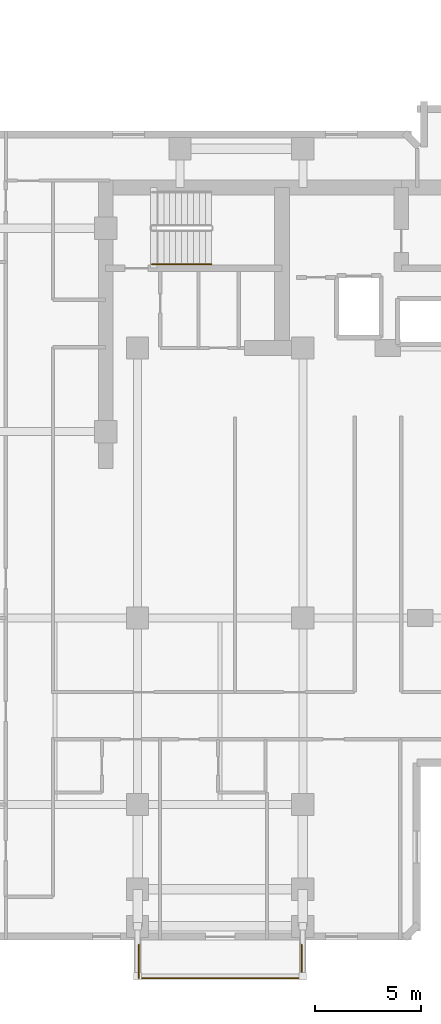
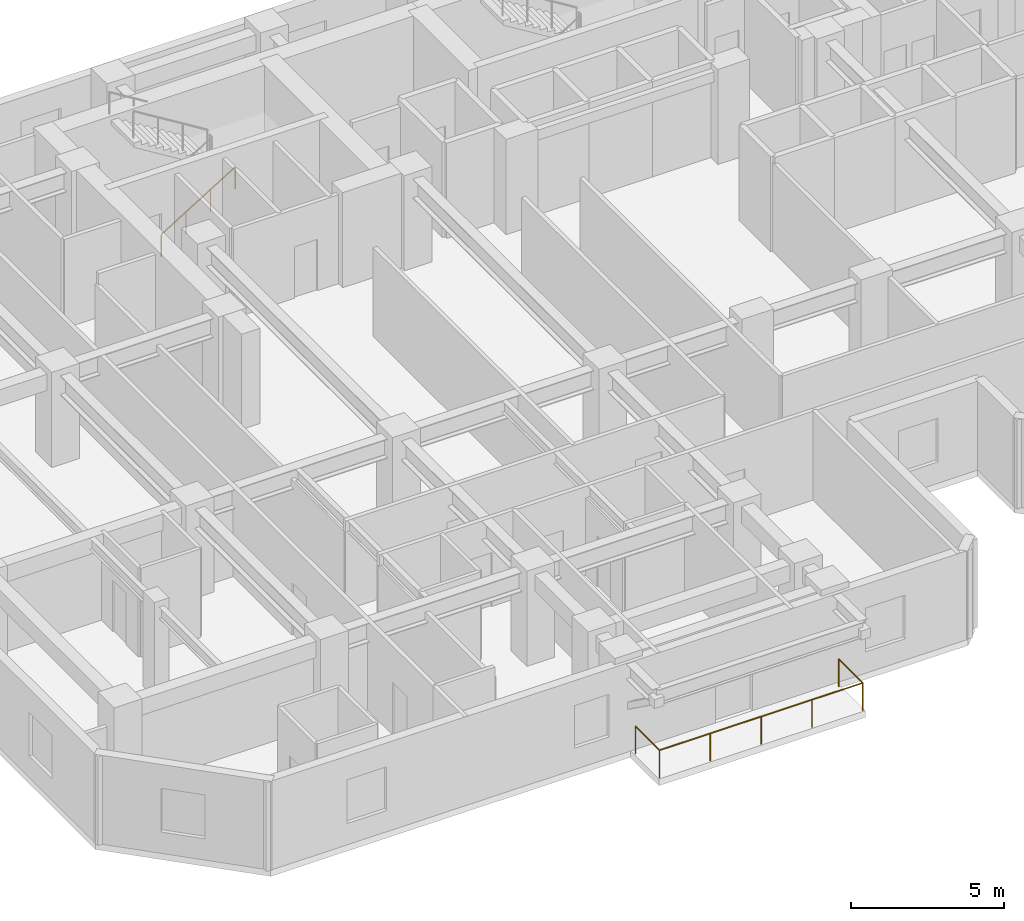
# One storey, part 10 of 11: 3 railings.
"""IFC4 building model written with IfcOpenShell, lengths in metres."""

from ifc_helpers import new_model, si_unit, direction, frame, origin, origin_2d, place, context, subcontext, project, spatial, circle, extrude, material, type_object, element, save


model = new_model("IFC4")

# Units and contexts
model_context = context("Model", 3, precision=1e-05, world=origin(), true_north=direction((0.0, 1.0)))
body_context = subcontext(model_context, "Body", "Model", "MODEL_VIEW")
ifc_project = project(units=[si_unit("LENGTHUNIT", "METRE"), si_unit("AREAUNIT", "SQUARE_METRE"), si_unit("VOLUMEUNIT", "CUBIC_METRE"), si_unit("PLANEANGLEUNIT", "RADIAN"), si_unit("MASSUNIT", "GRAM", prefix="KILO")], contexts=[model_context])

# Site, building, storey
site_placement = place(None, origin())
site = spatial("IfcSite", under=ifc_project, at=site_placement, CompositionType="ELEMENT")
building_placement = place(site_placement, origin())
building = spatial("IfcBuilding", under=site, at=building_placement, Name="Kestravale Grand Hotel", CompositionType="ELEMENT")
storey_placement = place(building_placement, frame((0.0, 0.0, 168.800048828125)))
storey = spatial("IfcBuildingStorey", under=building, at=storey_placement, Name="L42", CompositionType="ELEMENT", Elevation=168.800048828125)

# Railings
ifc_material_1 = material(Name="Champagne-bronze stainless steel and laminated glass guard", Category="steel")
railing_type_1 = type_object("IfcRailingType", Name="RL-EXT-1100", PredefinedType="GUARDRAIL", material=ifc_material_1)
railing_1_placement = place(storey_placement, frame((23.4599609375, 3.010009765625, 0.0)))
element("IfcRailing", 1, at=railing_1_placement, inside=storey, type_object=railing_type_1, Name="L42 outdoor terrace guard 1", PredefinedType="GUARDRAIL", context=body_context, shape_type="SweptSolid", body=[
    extrude(circle(Radius=0.02392578125, at=origin_2d()), frame((0.0, 0.0, 1.09619140625), z_axis=(0.0, 1.0, 0.0), x_axis=(-1.0, 0.0, 0.0)), (0.0, 0.0, 1.0), 1.570068359375),
    extrude(circle(Radius=0.02099609375, at=origin_2d()), origin(), (0.0, 0.0, 1.0), 1.072021484375),
    extrude(circle(Radius=0.02099609375, at=origin_2d()), frame((0.0, 1.570068359375, 0.0)), (0.0, 0.0, 1.0), 1.072021484375),
])
railing_2_placement = place(storey_placement, frame((31.139892578125, 4.580078125, 0.0)))
element("IfcRailing", 2, at=railing_2_placement, inside=storey, type_object=railing_type_1, Name="L42 outdoor terrace guard 2", PredefinedType="GUARDRAIL", context=body_context, shape_type="SweptSolid", body=[
    extrude(circle(Radius=0.02392578125, at=origin_2d()), frame((0.0, 0.0, 1.09619140625), z_axis=(0.0, -1.0, 0.0), x_axis=(1.0, 0.0, 0.0)), (0.0, 0.0, 1.0), 1.570068359375),
    extrude(circle(Radius=0.02392578125, at=origin_2d()), frame((0.0, -1.570068359375, 1.09619140625), z_axis=(-1.0, 0.0, 0.0), x_axis=(0.0, -1.0, 0.0)), (0.0, 0.0, 1.0), 7.679931640625),
    extrude(circle(Radius=0.02099609375, at=origin_2d()), origin(), (0.0, 0.0, 1.0), 1.072021484375),
    extrude(circle(Radius=0.02099609375, at=origin_2d()), frame((0.0, -1.570068359375, 0.0)), (0.0, 0.0, 1.0), 1.072021484375),
    extrude(circle(Radius=0.02099609375, at=origin_2d()), frame((-1.919921875, -1.570068359375, 0.0)), (0.0, 0.0, 1.0), 1.072021484375),
    extrude(circle(Radius=0.02099609375, at=origin_2d()), frame((-3.83984375, -1.570068359375, 0.0)), (0.0, 0.0, 1.0), 1.072021484375),
    extrude(circle(Radius=0.02099609375, at=origin_2d()), frame((-5.760009765625, -1.570068359375, 0.0)), (0.0, 0.0, 1.0), 1.072021484375),
    extrude(circle(Radius=0.02099609375, at=origin_2d()), frame((-7.679931640625, -1.570068359375, 0.0)), (0.0, 0.0, 1.0), 1.072021484375),
])
ifc_material_2 = material(Name="Brushed stainless steel wall handrail", Category="steel")
railing_type_2 = type_object("IfcRailingType", Name="RL-ST-HND900", PredefinedType="HANDRAIL", material=ifc_material_2)
railing_3_placement = place(storey_placement, frame((24.080078125, 36.699951171875, 0.172607421875)))
element("IfcRailing", 3, at=railing_3_placement, inside=storey, type_object=railing_type_2, Name="L42 ST-1 stair handrail 1", PredefinedType="HANDRAIL", context=body_context, shape_type="SweptSolid", body=[
    extrude(circle(Radius=0.02392578125, at=origin_2d()), frame((0.0, 0.0, 0.8759765625), z_axis=(0.851069175582, 0.0, 0.525053576669), x_axis=(0.0, 1.0, 0.0)), (0.0, 0.0, 1.0), 3.289794921875),
    extrude(circle(Radius=0.02099609375, at=origin_2d()), origin(), (0.0, 0.0, 1.0), 0.851806640625),
    extrude(circle(Radius=0.02099609375, at=origin_2d()), frame((0.933349609375, 0.0, 0.57568359375)), (0.0, 0.0, 1.0), 0.851806640625),
    extrude(circle(Radius=0.02099609375, at=origin_2d()), frame((1.866455078125, 0.0, 1.151611328125)), (0.0, 0.0, 1.0), 0.851806640625),
    extrude(circle(Radius=0.02099609375, at=origin_2d()), frame((2.7998046875, 0.0, 1.727294921875)), (0.0, 0.0, 1.0), 0.851806640625),
])

save(model, "model.ifc")
